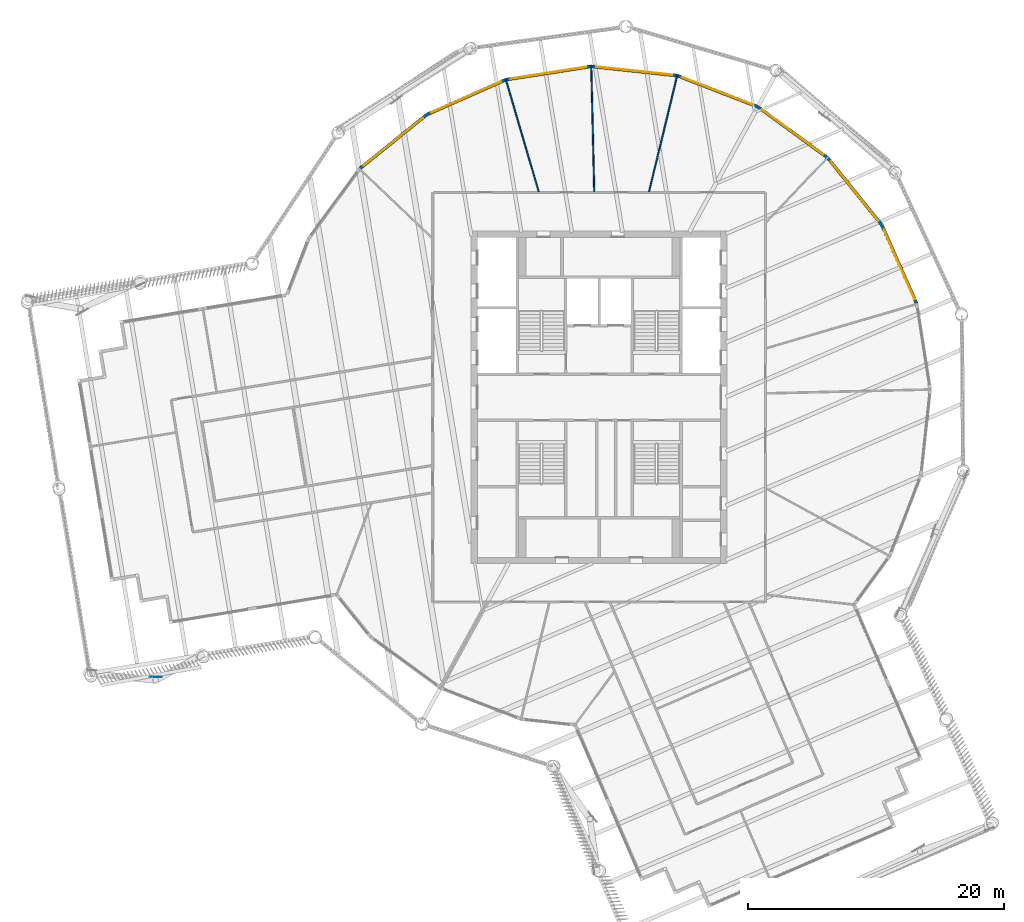
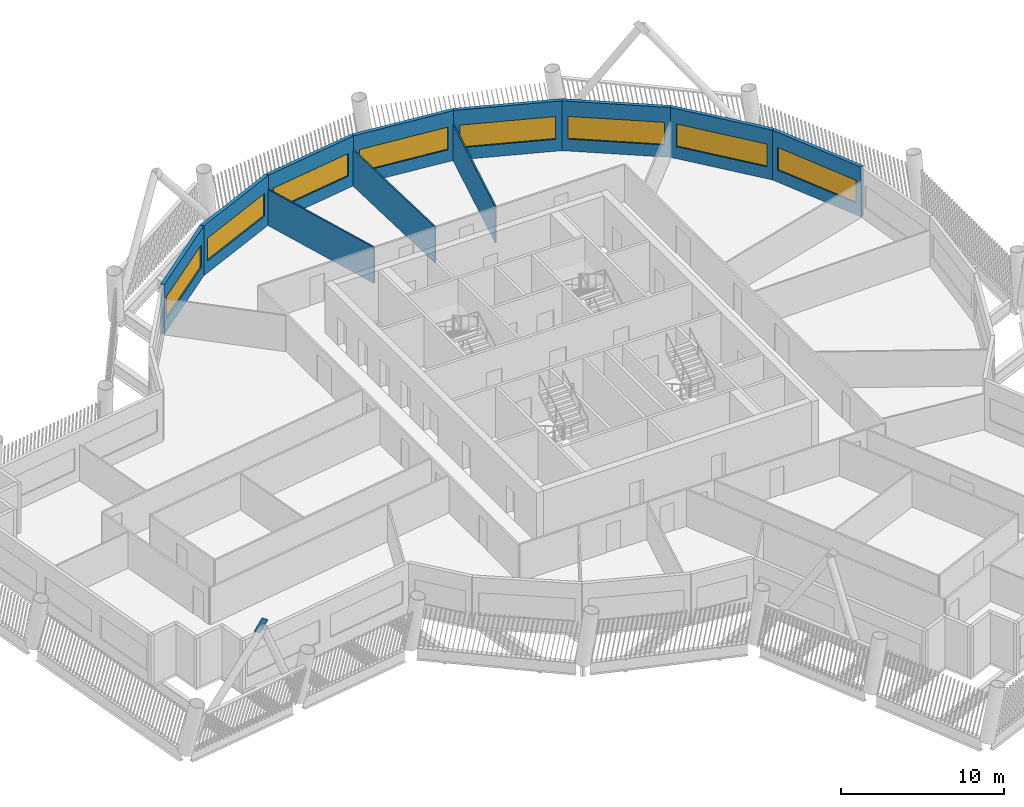
# One storey, part 7 of 23: 11 walls, 8 windows, 1 discrete accessory, 8 openings.
"""IFC4 building model written with IfcOpenShell, lengths in metres."""

from ifc_helpers import new_model, si_unit, direction, frame, frame_2d, origin, origin_2d, place, context, subcontext, project, spatial, rectangle, extrude, material, layer, layer_set, material_profile, profile_set, type_object, element, fill, save


model = new_model("IFC4")

# Units and contexts
model_context = context("Model", 3, precision=1e-05, world=origin(), true_north=direction((0.0, 1.0)))
body_context = subcontext(model_context, "Body", "Model", "MODEL_VIEW")
ifc_project = project(units=[si_unit("LENGTHUNIT", "METRE"), si_unit("AREAUNIT", "SQUARE_METRE"), si_unit("VOLUMEUNIT", "CUBIC_METRE"), si_unit("PLANEANGLEUNIT", "RADIAN"), si_unit("MASSUNIT", "GRAM", prefix="KILO")], contexts=[model_context])

# Site, building, storey
site_placement = place(None, origin())
site = spatial("IfcSite", under=ifc_project, at=site_placement, CompositionType="ELEMENT")
building_placement = place(site_placement, origin())
building = spatial("IfcBuilding", under=site, at=building_placement, Name="Tarsis Ring Headquarters", CompositionType="ELEMENT")
storey_placement = place(building_placement, frame((0.0, 0.0, 323.60009765625)))
storey = spatial("IfcBuildingStorey", under=building, at=storey_placement, Name="L76", CompositionType="ELEMENT", Elevation=323.60009765625)

# Walls
ifc_material_1 = material(Name="Gypsum board on steel studs", Category="steel")
ifc_layer_1 = layer(ifc_material_1, 0.10009765625)
ifc_layer_set_1 = layer_set([ifc_layer_1], Name="FL partition 100 unrated")
wall_type_1 = type_object("IfcWallType", Name="FL partition 100 unrated", PredefinedType="PARTITIONING", material=ifc_layer_set_1)
wall_1_placement = place(storey_placement, frame((-0.615966796875, 25.9404296875, 0.0), z_axis=(0.0, 0.0, 1.0), x_axis=(0.023738639858, -0.999718198783, 0.0)))
element("IfcWall", 1, at=wall_1_placement, inside=storey, type_object=wall_type_1, Name="Partition PW3", PredefinedType="PARTITIONING", context=body_context, shape_type="SweptSolid", body=[
    extrude(rectangle(XDim=9.873046875, YDim=0.10009765625, at=frame_2d((4.9365234375, 0.0))), origin(), (0.0, 0.0, 1.0), 2.699951171875),
])
wall_2_placement = place(storey_placement, frame((3.899169921875, 16.068115234375, 0.0), z_axis=(0.0, 0.0, 1.0), x_axis=(0.235804894507, 0.971800417641, 0.0)))
element("IfcWall", 2, at=wall_2_placement, inside=storey, type_object=wall_type_1, Name="Partition PW3", PredefinedType="PARTITIONING", context=body_context, shape_type="SweptSolid", body=[
    extrude(rectangle(XDim=9.413330078125, YDim=0.10009765625, at=frame_2d((4.70654296875, 0.0))), origin(), (0.0, 0.0, 1.0), 2.699951171875),
])
wall_3_placement = place(storey_placement, frame((-7.308837890625, 24.897216796875, 0.0), z_axis=(0.0, 0.0, 1.0), x_axis=(0.281686567244, -0.959506476181, 0.0)))
element("IfcWall", 3, at=wall_3_placement, inside=storey, type_object=wall_type_1, Name="Partition PW3", PredefinedType="PARTITIONING", context=body_context, shape_type="SweptSolid", body=[
    extrude(rectangle(XDim=9.20263671875, YDim=0.10009765625, at=frame_2d((4.601318359375, 0.0))), origin(), (0.0, 0.0, 1.0), 2.699951171875),
])

# Wall, opening, window
ifc_material_2 = material(Name="Terracotta clad insulated panel wall", Category="masonry")
ifc_layer_2 = layer(ifc_material_2, 0.25)
ifc_layer_set_2 = layer_set([ifc_layer_2], Name="Facade wall terracotta panel 250")
wall_type_2 = type_object("IfcWallType", Name="Facade wall terracotta panel 250", PredefinedType="STANDARD", material=ifc_layer_set_2)
wall_4_placement = place(storey_placement, frame((24.819580078125, 7.302978515625, 0.0), z_axis=(0.0, 0.0, 1.0), x_axis=(-0.404479725391, 0.914546965304, 0.0)))
wall_4 = element("IfcWall", 4, at=wall_4_placement, inside=storey, type_object=wall_type_2, Name="External wall L76-21", PredefinedType="STANDARD", context=body_context, shape_type="SweptSolid", body=[
    extrude(rectangle(XDim=6.7216796875, YDim=0.25, at=frame_2d((3.36083984375, 0.0))), origin(), (0.0, 0.0, 1.0), 3.739990234375),
])
opening_1_placement = place(wall_4_placement, frame((0.3857421875, 0.0, 0.89990234375)))
opening_1 = element("IfcOpeningElement", 5, at=opening_1_placement, cuts=wall_4, Name="Opening WN07", PredefinedType="OPENING", context=body_context, shape_type="SweptSolid", body=[
    extrude(rectangle(XDim=5.949951171875, YDim=1.699951171875, at=frame_2d((2.97509765625, 0.85009765625))), frame((0.0, 0.135009765625, 0.0), z_axis=(0.0, -1.0, 0.0), x_axis=(1.0, 0.0, 0.0)), (0.0, 0.0, 1.0), 0.27001953125),
])
ifc_material_3 = material(Name="Aluminium framed double glazing", Category="aluminium")
window_type = type_object("IfcWindowType", Name="Facade window 5950 x 1700", PartitioningType="SINGLE_PANEL", PredefinedType="WINDOW", material=ifc_material_3)
window_1_placement = place(opening_1_placement, origin())
window_1 = element("IfcWindow", 6, at=window_1_placement, inside=storey, type_object=window_type, Name="Window L76-21.1", OverallHeight=1.699951171875, OverallWidth=5.949951171875, PartitioningType="SINGLE_PANEL", PredefinedType="WINDOW", context=body_context, shape_type="SweptSolid", body=[
    extrude(rectangle(XDim=5.949951171875, YDim=1.699951171875, at=frame_2d((2.97509765625, 0.85009765625))), frame((0.0, 0.030029296875, 0.0), z_axis=(0.0, -1.0, 0.0), x_axis=(1.0, 0.0, 0.0)), (0.0, 0.0, 1.0), 0.06005859375),
])
fill(opening_1, window_1)

wall_5_placement = place(storey_placement, frame((22.083740234375, 13.47802734375, 0.0), z_axis=(0.0, 0.0, 1.0), x_axis=(-0.627428658071, 0.778674051854, 0.0)))
wall_5 = element("IfcWall", 7, at=wall_5_placement, inside=storey, type_object=wall_type_2, Name="External wall L76-22", PredefinedType="STANDARD", context=body_context, shape_type="SweptSolid", body=[
    extrude(rectangle(XDim=6.721435546875, YDim=0.25, at=frame_2d((3.36083984375, 0.0))), origin(), (0.0, 0.0, 1.0), 3.739990234375),
])
opening_2_placement = place(wall_5_placement, frame((0.3857421875, 0.0, 0.89990234375)))
opening_2 = element("IfcOpeningElement", 8, at=opening_2_placement, cuts=wall_5, Name="Opening WN07", PredefinedType="OPENING", context=body_context, shape_type="SweptSolid", body=[
    extrude(rectangle(XDim=5.949951171875, YDim=1.699951171875, at=frame_2d((2.97509765625, 0.85009765625))), frame((0.0, 0.135009765625, 0.0), z_axis=(0.0, -1.0, 0.0), x_axis=(1.0, 0.0, 0.0)), (0.0, 0.0, 1.0), 0.27001953125),
])
window_2_placement = place(opening_2_placement, origin())
window_2 = element("IfcWindow", 9, at=window_2_placement, inside=storey, type_object=window_type, Name="Window L76-22.1", OverallHeight=1.699951171875, OverallWidth=5.949951171875, PartitioningType="SINGLE_PANEL", PredefinedType="WINDOW", context=body_context, shape_type="SweptSolid", body=[
    extrude(rectangle(XDim=5.949951171875, YDim=1.699951171875, at=frame_2d((2.97509765625, 0.85009765625))), frame((0.0, 0.030029296875, 0.0), z_axis=(0.0, -1.0, 0.0), x_axis=(1.0, 0.0, 0.0)), (0.0, 0.0, 1.0), 0.06005859375),
])
fill(opening_2, window_2)

wall_6_placement = place(storey_placement, frame((17.843017578125, 18.734375, 0.0), z_axis=(0.0, 0.0, 1.0), x_axis=(-0.807580080563, 0.589757927863, 0.0)))
wall_6 = element("IfcWall", 10, at=wall_6_placement, inside=storey, type_object=wall_type_2, Name="External wall L76-23", PredefinedType="STANDARD", context=body_context, shape_type="SweptSolid", body=[
    extrude(rectangle(XDim=6.7216796875, YDim=0.25, at=frame_2d((3.36083984375, 0.0))), origin(), (0.0, 0.0, 1.0), 3.739990234375),
])
opening_3_placement = place(wall_6_placement, frame((0.3857421875, 0.0, 0.89990234375)))
opening_3 = element("IfcOpeningElement", 11, at=opening_3_placement, cuts=wall_6, Name="Opening WN07", PredefinedType="OPENING", context=body_context, shape_type="SweptSolid", body=[
    extrude(rectangle(XDim=5.949951171875, YDim=1.699951171875, at=frame_2d((2.97509765625, 0.85009765625))), frame((0.0, 0.135009765625, 0.0), z_axis=(0.0, -1.0, 0.0), x_axis=(1.0, 0.0, 0.0)), (0.0, 0.0, 1.0), 0.27001953125),
])
window_3_placement = place(opening_3_placement, origin())
window_3 = element("IfcWindow", 12, at=window_3_placement, inside=storey, type_object=window_type, Name="Window L76-23.1", OverallHeight=1.699951171875, OverallWidth=5.949951171875, PartitioningType="SINGLE_PANEL", PredefinedType="WINDOW", context=body_context, shape_type="SweptSolid", body=[
    extrude(rectangle(XDim=5.949951171875, YDim=1.699951171875, at=frame_2d((2.97509765625, 0.85009765625))), frame((0.0, 0.030029296875, 0.0), z_axis=(0.0, -1.0, 0.0), x_axis=(1.0, 0.0, 0.0)), (0.0, 0.0, 1.0), 0.06005859375),
])
fill(opening_3, window_3)

wall_7_placement = place(storey_placement, frame((12.38623046875, 22.714111328125, 0.0), z_axis=(0.0, 0.0, 1.0), x_axis=(-0.932705691466, 0.360638452064, 0.0)))
wall_7 = element("IfcWall", 13, at=wall_7_placement, inside=storey, type_object=wall_type_2, Name="External wall L76-24", PredefinedType="STANDARD", context=body_context, shape_type="SweptSolid", body=[
    extrude(rectangle(XDim=6.7216796875, YDim=0.25, at=frame_2d((3.36083984375, 0.0))), origin(), (0.0, 0.0, 1.0), 3.739990234375),
])
opening_4_placement = place(wall_7_placement, frame((0.3857421875, 0.0, 0.89990234375)))
opening_4 = element("IfcOpeningElement", 14, at=opening_4_placement, cuts=wall_7, Name="Opening WN07", PredefinedType="OPENING", context=body_context, shape_type="SweptSolid", body=[
    extrude(rectangle(XDim=5.949951171875, YDim=1.699951171875, at=frame_2d((2.97509765625, 0.85009765625))), frame((0.0, 0.135009765625, 0.0), z_axis=(0.0, -1.0, 0.0), x_axis=(1.0, 0.0, 0.0)), (0.0, 0.0, 1.0), 0.27001953125),
])
window_4_placement = place(opening_4_placement, origin())
window_4 = element("IfcWindow", 15, at=window_4_placement, inside=storey, type_object=window_type, Name="Window L76-24.1", OverallHeight=1.699951171875, OverallWidth=5.949951171875, PartitioningType="SINGLE_PANEL", PredefinedType="WINDOW", context=body_context, shape_type="SweptSolid", body=[
    extrude(rectangle(XDim=5.949951171875, YDim=1.699951171875, at=frame_2d((2.97509765625, 0.85009765625))), frame((0.0, 0.030029296875, 0.0), z_axis=(0.0, -1.0, 0.0), x_axis=(1.0, 0.0, 0.0)), (0.0, 0.0, 1.0), 0.06005859375),
])
fill(opening_4, window_4)

wall_8_placement = place(storey_placement, frame((6.085205078125, 25.14599609375, 0.0), z_axis=(0.0, 0.0, 1.0), x_axis=(-0.994262200039, 0.106970451873, 0.0)))
wall_8 = element("IfcWall", 16, at=wall_8_placement, inside=storey, type_object=wall_type_2, Name="External wall L76-25", PredefinedType="STANDARD", context=body_context, shape_type="SweptSolid", body=[
    extrude(rectangle(XDim=6.721435546875, YDim=0.25, at=frame_2d((3.36083984375, 0.0))), origin(), (0.0, 0.0, 1.0), 3.739990234375),
])
opening_5_placement = place(wall_8_placement, frame((0.3857421875, 0.0, 0.89990234375)))
opening_5 = element("IfcOpeningElement", 17, at=opening_5_placement, cuts=wall_8, Name="Opening WN07", PredefinedType="OPENING", context=body_context, shape_type="SweptSolid", body=[
    extrude(rectangle(XDim=5.949951171875, YDim=1.699951171875, at=frame_2d((2.97509765625, 0.85009765625))), frame((0.0, 0.135009765625, 0.0), z_axis=(0.0, -1.0, 0.0), x_axis=(1.0, 0.0, 0.0)), (0.0, 0.0, 1.0), 0.27001953125),
])
window_5_placement = place(opening_5_placement, origin())
window_5 = element("IfcWindow", 18, at=window_5_placement, inside=storey, type_object=window_type, Name="Window L76-25.1", OverallHeight=1.699951171875, OverallWidth=5.949951171875, PartitioningType="SINGLE_PANEL", PredefinedType="WINDOW", context=body_context, shape_type="SweptSolid", body=[
    extrude(rectangle(XDim=5.949951171875, YDim=1.699951171875, at=frame_2d((2.97509765625, 0.85009765625))), frame((0.0, 0.030029296875, 0.0), z_axis=(0.0, -1.0, 0.0), x_axis=(1.0, 0.0, 0.0)), (0.0, 0.0, 1.0), 0.06005859375),
])
fill(opening_5, window_5)

wall_9_placement = place(storey_placement, frame((-0.63037109375, 25.864013671875, 0.0), z_axis=(0.0, 0.0, 1.0), x_axis=(-0.988069961652, -0.154005684572, 0.0)))
wall_9 = element("IfcWall", 19, at=wall_9_placement, inside=storey, type_object=wall_type_2, Name="External wall L76-26", PredefinedType="STANDARD", context=body_context, shape_type="SweptSolid", body=[
    extrude(rectangle(XDim=6.721435546875, YDim=0.25, at=frame_2d((3.36083984375, 0.0))), origin(), (0.0, 0.0, 1.0), 3.739990234375),
])
opening_6_placement = place(wall_9_placement, frame((0.3857421875, 0.0, 0.89990234375)))
opening_6 = element("IfcOpeningElement", 20, at=opening_6_placement, cuts=wall_9, Name="Opening WN07", PredefinedType="OPENING", context=body_context, shape_type="SweptSolid", body=[
    extrude(rectangle(XDim=5.949951171875, YDim=1.699951171875, at=frame_2d((2.97509765625, 0.85009765625))), frame((0.0, 0.135009765625, 0.0), z_axis=(0.0, -1.0, 0.0), x_axis=(1.0, 0.0, 0.0)), (0.0, 0.0, 1.0), 0.27001953125),
])
window_6_placement = place(opening_6_placement, origin())
window_6 = element("IfcWindow", 21, at=window_6_placement, inside=storey, type_object=window_type, Name="Window L76-26.1", OverallHeight=1.699951171875, OverallWidth=5.949951171875, PartitioningType="SINGLE_PANEL", PredefinedType="WINDOW", context=body_context, shape_type="SweptSolid", body=[
    extrude(rectangle(XDim=5.949951171875, YDim=1.699951171875, at=frame_2d((2.97509765625, 0.85009765625))), frame((0.0, 0.030029296875, 0.0), z_axis=(0.0, -1.0, 0.0), x_axis=(1.0, 0.0, 0.0)), (0.0, 0.0, 1.0), 0.06005859375),
])
fill(opening_6, window_6)

wall_10_placement = place(storey_placement, frame((-7.302978515625, 24.819580078125, 0.0), z_axis=(0.0, 0.0, 1.0), x_axis=(-0.914546965304, -0.404479725391, 0.0)))
wall_10 = element("IfcWall", 22, at=wall_10_placement, inside=storey, type_object=wall_type_2, Name="External wall L76-27", PredefinedType="STANDARD", context=body_context, shape_type="SweptSolid", body=[
    extrude(rectangle(XDim=6.7216796875, YDim=0.25, at=frame_2d((3.36083984375, 0.0))), origin(), (0.0, 0.0, 1.0), 3.739990234375),
])
opening_7_placement = place(wall_10_placement, frame((0.3857421875, 0.0, 0.89990234375)))
opening_7 = element("IfcOpeningElement", 23, at=opening_7_placement, cuts=wall_10, Name="Opening WN07", PredefinedType="OPENING", context=body_context, shape_type="SweptSolid", body=[
    extrude(rectangle(XDim=5.949951171875, YDim=1.699951171875, at=frame_2d((2.97509765625, 0.85009765625))), frame((0.0, 0.135009765625, 0.0), z_axis=(0.0, -1.0, 0.0), x_axis=(1.0, 0.0, 0.0)), (0.0, 0.0, 1.0), 0.27001953125),
])
window_7_placement = place(opening_7_placement, origin())
window_7 = element("IfcWindow", 24, at=window_7_placement, inside=storey, type_object=window_type, Name="Window L76-27.1", OverallHeight=1.699951171875, OverallWidth=5.949951171875, PartitioningType="SINGLE_PANEL", PredefinedType="WINDOW", context=body_context, shape_type="SweptSolid", body=[
    extrude(rectangle(XDim=5.949951171875, YDim=1.699951171875, at=frame_2d((2.97509765625, 0.85009765625))), frame((0.0, 0.030029296875, 0.0), z_axis=(0.0, -1.0, 0.0), x_axis=(1.0, 0.0, 0.0)), (0.0, 0.0, 1.0), 0.06005859375),
])
fill(opening_7, window_7)

wall_11_placement = place(storey_placement, frame((-13.47802734375, 22.083740234375, 0.0), z_axis=(0.0, 0.0, 1.0), x_axis=(-0.778674051854, -0.627428658071, 0.0)))
wall_11 = element("IfcWall", 25, at=wall_11_placement, inside=storey, type_object=wall_type_2, Name="External wall L76-28", PredefinedType="STANDARD", context=body_context, shape_type="SweptSolid", body=[
    extrude(rectangle(XDim=6.721435546875, YDim=0.25, at=frame_2d((3.36083984375, 0.0))), origin(), (0.0, 0.0, 1.0), 3.739990234375),
])
opening_8_placement = place(wall_11_placement, frame((0.3857421875, 0.0, 0.89990234375)))
opening_8 = element("IfcOpeningElement", 26, at=opening_8_placement, cuts=wall_11, Name="Opening WN07", PredefinedType="OPENING", context=body_context, shape_type="SweptSolid", body=[
    extrude(rectangle(XDim=5.949951171875, YDim=1.699951171875, at=frame_2d((2.97509765625, 0.85009765625))), frame((0.0, 0.135009765625, 0.0), z_axis=(0.0, -1.0, 0.0), x_axis=(1.0, 0.0, 0.0)), (0.0, 0.0, 1.0), 0.27001953125),
])
window_8_placement = place(opening_8_placement, origin())
window_8 = element("IfcWindow", 27, at=window_8_placement, inside=storey, type_object=window_type, Name="Window L76-28.1", OverallHeight=1.699951171875, OverallWidth=5.949951171875, PartitioningType="SINGLE_PANEL", PredefinedType="WINDOW", context=body_context, shape_type="SweptSolid", body=[
    extrude(rectangle(XDim=5.949951171875, YDim=1.699951171875, at=frame_2d((2.97509765625, 0.85009765625))), frame((0.0, 0.030029296875, 0.0), z_axis=(0.0, -1.0, 0.0), x_axis=(1.0, 0.0, 0.0)), (0.0, 0.0, 1.0), 0.06005859375),
])
fill(opening_8, window_8)

# Discrete accessory
ifc_material_4 = material(Name="Structural steel S355", Category="steel")
ifc_material_profile = material_profile(ifc_material_4, rectangle(XDim=0.02490234375, YDim=0.5, at=origin_2d()), Name="PL 25x500")
ifc_profile_set = profile_set([ifc_material_profile], Name="Structural steel S355")
discrete_accessory_type = type_object("IfcDiscreteAccessoryType", Name="Gusset plate Exo brace 25", PredefinedType="BRACKET", material=ifc_profile_set)
discrete_accessory_placement = place(storey_placement, frame((-34.916748046875, -21.8349609375, 7.3828125), z_axis=(0.551184809424, -0.021725176279, 0.834100307263), x_axis=(0.039384830104, 0.999224116581, 0.0)))
element("IfcDiscreteAccessory", 28, at=discrete_accessory_placement, inside=storey, type_object=discrete_accessory_type, Name="Gusset plate GP5", PredefinedType="BRACKET", context=body_context, shape_type="SweptSolid", body=[
    extrude(rectangle(XDim=0.02490234375, YDim=0.5, at=origin_2d()), origin(), (0.0, 0.0, 1.0), 1.000244140625),
])

save(model, "model.ifc")
